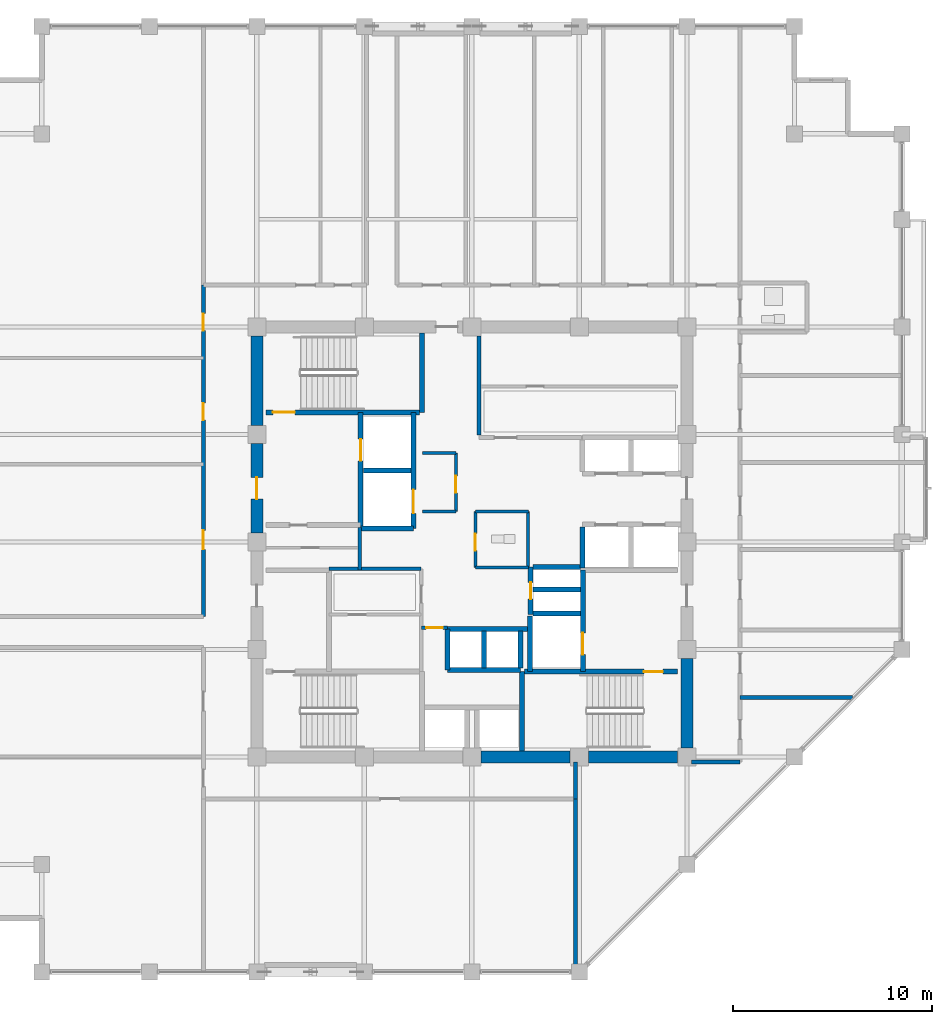
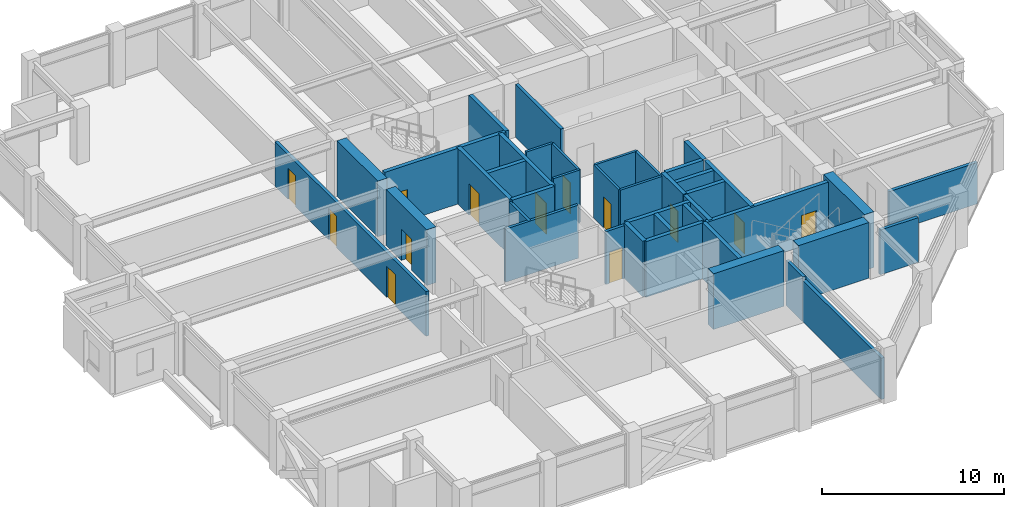
# One storey, part 23 of 28: 41 walls, 13 doors, 13 openings.
"""IFC4 building model written with IfcOpenShell, lengths in metres."""

from ifc_helpers import new_model, si_unit, direction, frame, frame_2d, origin, place, context, subcontext, project, spatial, rectangle, extrude, material, layer, layer_set, type_object, element, fill, save


model = new_model("IFC4")

# Units and contexts
model_context = context("Model", 3, precision=1e-05, world=origin(), true_north=direction((0.0, 1.0)))
body_context = subcontext(model_context, "Body", "Model", "MODEL_VIEW")
ifc_project = project(units=[si_unit("LENGTHUNIT", "METRE"), si_unit("AREAUNIT", "SQUARE_METRE"), si_unit("VOLUMEUNIT", "CUBIC_METRE"), si_unit("PLANEANGLEUNIT", "RADIAN"), si_unit("MASSUNIT", "GRAM", prefix="KILO")], contexts=[model_context])

# Site, building, storey
site_placement = place(None, origin())
site = spatial("IfcSite", under=ifc_project, at=site_placement, CompositionType="ELEMENT")
building_placement = place(site_placement, origin())
building = spatial("IfcBuilding", under=site, at=building_placement, Name="Surkhivell Harbour Commons", CompositionType="ELEMENT")
storey_placement = place(building_placement, frame((0.0, 0.0, 238.5)))
storey = spatial("IfcBuildingStorey", under=building, at=storey_placement, Name="L62", CompositionType="ELEMENT", Elevation=238.5)

# Walls
ifc_material_1 = material(Name="Concrete C60/75", Category="concrete")
ifc_layer_1 = layer(ifc_material_1, 0.60009765625)
ifc_layer_set_1 = layer_set([ifc_layer_1], Name="Concrete C60/75")
wall_type_1 = type_object("IfcWallType", Name="WAL-CORE-600", PredefinedType="SHEAR", material=ifc_layer_set_1)
for number, where, z_axis, x_axis, name in (
    (1, (10.800048828125, -10.340087890625, 0.0), (0.0, 0.0, 1.0), (0.0, 1.0, 0.0), "L62 Core Shear Wall East 1"),
    (2, (0.4599609375, -10.800048828125, 0.0), (0.0, 0.0, 1.0), (1.0, 0.0, 0.0), "L62 Core Shear Wall South 3"),
):
    element("IfcWall", number, at=place(storey_placement, frame(where, z_axis=z_axis, x_axis=x_axis)), inside=storey, type_object=wall_type_1, Name=name, PredefinedType="SHEAR", context=body_context, shape_type="SweptSolid", body=[
        extrude(rectangle(XDim=4.47998046875, YDim=0.60009765625, at=frame_2d((2.239990234375, 0.0))), origin(), (0.0, 0.0, 1.0), 3.75),
    ])

# Wall, opening, door
wall_1_placement = place(storey_placement, frame((-10.800048828125, 0.4599609375, 0.0), z_axis=(0.0, 0.0, 1.0), x_axis=(0.0, 1.0, 0.0)))
wall_1 = element("IfcWall", 3, at=wall_1_placement, inside=storey, type_object=wall_type_1, Name="L62 Core Shear Wall West 3", PredefinedType="SHEAR", context=body_context, shape_type="SweptSolid", body=[
    extrude(rectangle(XDim=4.47998046875, YDim=0.60009765625, at=frame_2d((2.239990234375, 0.0))), origin(), (0.0, 0.0, 1.0), 3.75),
])
opening_1_placement = place(wall_1_placement, frame((1.68994140625, 0.0, 0.0)))
opening_1 = element("IfcOpeningElement", 4, at=opening_1_placement, cuts=wall_1, Name="Opening ID-1", PredefinedType="OPENING", context=body_context, shape_type="SweptSolid", body=[
    extrude(rectangle(XDim=1.10009765625, YDim=2.10009765625, at=frame_2d((0.550048828125, 1.050048828125))), frame((0.0, 0.31005859375, 0.0), z_axis=(0.0, -1.0, 0.0), x_axis=(1.0, 0.0, 0.0)), (0.0, 0.0, 1.0), 0.6201171875),
])
ifc_material_2 = material(Name="Hardwood-veneered fire-rated door leaf", Category="wood")
door_type_1 = type_object("IfcDoorType", Name="DOR-FD120-1100", OperationType="NOTDEFINED", PredefinedType="DOOR", material=ifc_material_2)
door_1_placement = place(opening_1_placement, origin())
door_1 = element("IfcDoor", 5, at=door_1_placement, inside=storey, type_object=door_type_1, Name="L62 Firefighting Lobby 1 Corridor Door", OperationType="SINGLE_SWING_LEFT", OverallHeight=2.10009765625, OverallWidth=1.10009765625, PredefinedType="DOOR", context=body_context, shape_type="SweptSolid", body=[
    extrude(rectangle(XDim=1.10009765625, YDim=2.10009765625, at=frame_2d((0.550048828125, 1.050048828125))), frame((0.0, 0.02490234375, 0.0), z_axis=(0.0, -1.0, 0.0), x_axis=(1.0, 0.0, 0.0)), (0.0, 0.0, 1.0), 0.050048828125),
])
fill(opening_1, door_1)

# Walls
for number, where, z_axis, x_axis, name in (
    (6, (5.860107421875, -10.800048828125, 0.0), (0.0, 0.0, 1.0), (1.0, 0.0, 0.0), "L62 Core Shear Wall South 4"),
    (7, (-10.800048828125, 5.860107421875, 0.0), (0.0, 0.0, 1.0), (0.0, 1.0, 0.0), "L62 Core Shear Wall West 4"),
):
    element("IfcWall", number, at=place(storey_placement, frame(where, z_axis=z_axis, x_axis=x_axis)), inside=storey, type_object=wall_type_1, Name=name, PredefinedType="SHEAR", context=body_context, shape_type="SweptSolid", body=[
        extrude(rectangle(XDim=4.47998046875, YDim=0.60009765625, at=frame_2d((2.239990234375, 0.0))), origin(), (0.0, 0.0, 1.0), 3.75),
    ])
ifc_material_3 = material(Name="Twin-stud acoustic fireboard partition", Category="other")
ifc_layer_2 = layer(ifc_material_3, 0.14990234375)
ifc_layer_set_2 = layer_set([ifc_layer_2], Name="Twin-stud acoustic fireboard partition")
wall_type_2 = type_object("IfcWallType", Name="WAL-INT-150", PredefinedType="PARTITIONING", material=ifc_layer_set_2)
wall_2_placement = place(storey_placement, frame((2.820068359375, -1.25, 0.0), z_axis=(0.0, 0.0, 1.0), x_axis=(0.0, 1.0, 0.0)))
element("IfcWall", 8, at=wall_2_placement, inside=storey, type_object=wall_type_2, Name="L62 Core WC East Wall", PredefinedType="PARTITIONING", context=body_context, shape_type="SweptSolid", body=[
    extrude(rectangle(XDim=2.77001953125, YDim=0.14990234375, at=frame_2d((1.385009765625, 0.0))), origin(), (0.0, 0.0, 1.0), 3.570068359375),
])
for number, where, z_axis, x_axis, name in (
    (9, (0.179931640625, 1.52001953125, 0.0), (0.0, 0.0, 1.0), (1.0, 0.0, 0.0), "L62 Core WC North Wall"),
    (10, (0.179931640625, -1.280029296875, 0.0), (0.0, 0.0, 1.0), (1.0, 0.0, 0.0), "L62 Core WC South Wall"),
):
    element("IfcWall", number, at=place(storey_placement, frame(where, z_axis=z_axis, x_axis=x_axis)), inside=storey, type_object=wall_type_2, Name=name, PredefinedType="PARTITIONING", context=body_context, shape_type="SweptSolid", body=[
        extrude(rectangle(XDim=2.670166015625, YDim=0.14990234375, at=frame_2d((1.3349609375, 0.0))), origin(), (0.0, 0.0, 1.0), 3.570068359375),
    ])

# Wall, opening, door
wall_3_placement = place(storey_placement, frame((0.179931640625, -1.280029296875, 0.0), z_axis=(0.0, 0.0, 1.0), x_axis=(0.0, 1.0, 0.0)))
wall_3 = element("IfcWall", 11, at=wall_3_placement, inside=storey, type_object=wall_type_2, Name="L62 Core Accessible WC West Wall", PredefinedType="PARTITIONING", context=body_context, shape_type="SweptSolid", body=[
    extrude(rectangle(XDim=2.800048828125, YDim=0.14990234375, at=frame_2d((1.39990234375, 0.0))), origin(), (0.0, 0.0, 1.0), 3.570068359375),
])
opening_2_placement = place(wall_3_placement, frame((0.85009765625, 0.0, 0.0)))
opening_2 = element("IfcOpeningElement", 12, at=opening_2_placement, cuts=wall_3, Name="Opening ID-6", PredefinedType="OPENING", context=body_context, shape_type="SweptSolid", body=[
    extrude(rectangle(XDim=0.85009765625, YDim=2.10009765625, at=frame_2d((0.425048828125, 1.050048828125))), frame((0.0, 0.0849609375, 0.0), z_axis=(0.0, -1.0, 0.0), x_axis=(1.0, 0.0, 0.0)), (0.0, 0.0, 1.0), 0.169921875),
])
door_type_2 = type_object("IfcDoorType", Name="DOR-FD30-850", OperationType="NOTDEFINED", PredefinedType="DOOR", material=ifc_material_2)
door_2_placement = place(opening_2_placement, origin())
door_2 = element("IfcDoor", 13, at=door_2_placement, inside=storey, type_object=door_type_2, Name="L62 Floor Accessible WC Door", OperationType="SINGLE_SWING_RIGHT", OverallHeight=2.10009765625, OverallWidth=0.85009765625, PredefinedType="DOOR", context=body_context, shape_type="SweptSolid", body=[
    extrude(rectangle(XDim=0.85009765625, YDim=2.10009765625, at=frame_2d((0.425048828125, 1.050048828125))), frame((0.0, 0.02490234375, 0.0), z_axis=(0.0, -1.0, 0.0), x_axis=(1.0, 0.0, 0.0)), (0.0, 0.0, 1.0), 0.050048828125),
])
fill(opening_2, door_2)

wall_4_placement = place(storey_placement, frame((-0.800048828125, 1.52001953125, 0.0), z_axis=(0.0, 0.0, 1.0), x_axis=(0.0, 1.0, 0.0)))
wall_4 = element("IfcWall", 14, at=wall_4_placement, inside=storey, type_object=wall_type_2, Name="L62 Core Seminar East Wall", PredefinedType="PARTITIONING", context=body_context, shape_type="SweptSolid", body=[
    extrude(rectangle(XDim=2.9599609375, YDim=0.14990234375, at=frame_2d((1.47998046875, 0.0))), origin(), (0.0, 0.0, 1.0), 3.570068359375),
])
opening_3_placement = place(wall_4_placement, frame((0.949951171875, 0.0, 0.0)))
opening_3 = element("IfcOpeningElement", 15, at=opening_3_placement, cuts=wall_4, Name="Opening ID-6", PredefinedType="OPENING", context=body_context, shape_type="SweptSolid", body=[
    extrude(rectangle(XDim=0.85009765625, YDim=2.10009765625, at=frame_2d((0.425048828125, 1.050048828125))), frame((0.0, 0.0849609375, 0.0), z_axis=(0.0, -1.0, 0.0), x_axis=(1.0, 0.0, 0.0)), (0.0, 0.0, 1.0), 0.169921875),
])
door_3_placement = place(opening_3_placement, origin())
door_3 = element("IfcDoor", 16, at=door_3_placement, inside=storey, type_object=door_type_2, Name="L62 Central Seminar Door", OperationType="SINGLE_SWING_LEFT", OverallHeight=2.10009765625, OverallWidth=0.85009765625, PredefinedType="DOOR", context=body_context, shape_type="SweptSolid", body=[
    extrude(rectangle(XDim=0.85009765625, YDim=2.10009765625, at=frame_2d((0.425048828125, 1.050048828125))), frame((0.0, 0.02490234375, 0.0), z_axis=(0.0, -1.0, 0.0), x_axis=(1.0, 0.0, 0.0)), (0.0, 0.0, 1.0), 0.050048828125),
])
fill(opening_3, door_3)

# Walls
for number, where, z_axis, x_axis, name in (
    (17, (-2.47998046875, 4.47998046875, 0.0), (0.0, 0.0, 1.0), (1.0, 0.0, 0.0), "L62 Core Seminar North Wall"),
    (18, (-2.47998046875, 1.52001953125, 0.0), (0.0, 0.0, 1.0), (1.0, 0.0, 0.0), "L62 Core Seminar South Wall"),
):
    element("IfcWall", number, at=place(storey_placement, frame(where, z_axis=z_axis, x_axis=x_axis)), inside=storey, type_object=wall_type_2, Name=name, PredefinedType="PARTITIONING", context=body_context, shape_type="SweptSolid", body=[
        extrude(rectangle(XDim=1.679931640625, YDim=0.14990234375, at=frame_2d((0.83984375, 0.0))), origin(), (0.0, 0.0, 1.0), 3.570068359375),
    ])
ifc_material_4 = material(Name="High-density acoustic blockwork fire partition", Category="masonry")
ifc_layer_3 = layer(ifc_material_4, 0.175048828125)
ifc_layer_set_3 = layer_set([ifc_layer_3], Name="High-density acoustic blockwork fire partition")
wall_type_3 = type_object("IfcWallType", Name="WAL-INT-175", PredefinedType="PARTITIONING", material=ifc_layer_set_3)
wall_5_placement = place(storey_placement, frame((-7.179931640625, -1.35009765625, 0.0), z_axis=(0.0, 0.0, 1.0), x_axis=(1.0, 0.0, 0.0)))
element("IfcWall", 19, at=wall_5_placement, inside=storey, type_object=wall_type_3, Name="L62 Core Service Bay North Wall", PredefinedType="PARTITIONING", context=body_context, shape_type="SweptSolid", body=[
    extrude(rectangle(XDim=4.6298828125, YDim=0.175048828125, at=frame_2d((2.31494140625, 0.0))), origin(), (0.0, 0.0, 1.0), 3.570068359375),
])
wall_6_placement = place(storey_placement, frame((-5.6201171875, -1.419921875, 0.0), z_axis=(0.0, 0.0, 1.0), x_axis=(0.0, 1.0, 0.0)))
element("IfcWall", 20, at=wall_6_placement, inside=storey, type_object=wall_type_3, Name="L62 West Core Bay East Wall", PredefinedType="PARTITIONING", context=body_context, shape_type="SweptSolid", body=[
    extrude(rectangle(XDim=2.139892578125, YDim=0.175048828125, at=frame_2d((1.06982421875, 0.0))), origin(), (0.0, 0.0, 1.0), 3.570068359375),
])

# Wall, opening, door
wall_7_placement = place(storey_placement, frame((-2.52001953125, -4.320068359375, 0.0), z_axis=(0.0, 0.0, 1.0), x_axis=(1.0, 0.0, 0.0)))
wall_7 = element("IfcWall", 21, at=wall_7_placement, inside=storey, type_object=wall_type_3, Name="L62 High-Rise Lobby North Portal Wall", PredefinedType="PARTITIONING", context=body_context, shape_type="SweptSolid", body=[
    extrude(rectangle(XDim=1.300048828125, YDim=0.175048828125, at=frame_2d((0.64990234375, 0.0))), origin(), (0.0, 0.0, 1.0), 3.570068359375),
])
opening_4_placement = place(wall_7_placement, frame((0.219970703125, 0.0, 0.0)))
opening_4 = element("IfcOpeningElement", 22, at=opening_4_placement, cuts=wall_7, Name="Opening ID-6", PredefinedType="OPENING", context=body_context, shape_type="SweptSolid", body=[
    extrude(rectangle(XDim=0.85009765625, YDim=2.10009765625, at=frame_2d((0.425048828125, 1.050048828125))), frame((0.0, 0.097412109375, 0.0), z_axis=(0.0, -1.0, 0.0), x_axis=(1.0, 0.0, 0.0)), (0.0, 0.0, 1.0), 0.195068359375),
])
door_4_placement = place(opening_4_placement, origin())
door_4 = element("IfcDoor", 23, at=door_4_placement, inside=storey, type_object=door_type_2, Name="L62 High-Rise Lift Lobby North Door", OperationType="SINGLE_SWING_LEFT", OverallHeight=2.10009765625, OverallWidth=0.85009765625, PredefinedType="DOOR", context=body_context, shape_type="SweptSolid", body=[
    extrude(rectangle(XDim=0.85009765625, YDim=2.10009765625, at=frame_2d((0.425048828125, 1.050048828125))), frame((0.0, 0.02490234375, 0.0), z_axis=(0.0, -1.0, 0.0), x_axis=(1.0, 0.0, 0.0)), (0.0, 0.0, 1.0), 0.050048828125),
])
fill(opening_4, door_4)

# Walls
ifc_material_5 = material(Name="Autoclaved aerated concrete blockwork and fire plaster", Category="masonry")
ifc_layer_4 = layer(ifc_material_5, 0.199951171875)
ifc_layer_set_4 = layer_set([ifc_layer_4], Name="Autoclaved aerated concrete blockwork and fire plaster")
wall_type_4 = type_object("IfcWallType", Name="WAL-INT-200", PredefinedType="PARTITIONING", material=ifc_layer_set_4)
wall_8_placement = place(storey_placement, frame((0.35009765625, 5.360107421875, 0.0), z_axis=(0.0, 0.0, 1.0), x_axis=(0.0, 1.0, 0.0)))
element("IfcWall", 24, at=wall_8_placement, inside=storey, type_object=wall_type_4, Name="L62 Reclaimed Core North Bay West Wall", PredefinedType="PARTITIONING", context=body_context, shape_type="SweptSolid", body=[
    extrude(rectangle(XDim=4.97998046875, YDim=0.199951171875, at=frame_2d((2.489990234375, 0.0))), origin(), (0.0, 0.0, 1.0), 3.570068359375),
])
wall_9_placement = place(storey_placement, frame((5.199951171875, -21.5400390625, 0.0), z_axis=(0.0, 0.0, 1.0), x_axis=(0.0, 1.0, 0.0)))
element("IfcWall", 25, at=wall_9_placement, inside=storey, type_object=wall_type_4, Name="L62 South-East Corner Wall", PredefinedType="PARTITIONING", context=body_context, shape_type="SweptSolid", body=[
    extrude(rectangle(XDim=8.64013671875, YDim=0.199951171875, at=frame_2d((4.320068359375, 0.0))), origin(), (0.0, 0.0, 1.0), 2.780029296875),
])
wall_10_placement = place(storey_placement, frame((11.0400390625, -11.0400390625, 0.0), z_axis=(0.0, 0.0, 1.0), x_axis=(1.0, 0.0, 0.0)))
element("IfcWall", 26, at=wall_10_placement, inside=storey, type_object=wall_type_4, Name="L62 Corridor East South Closure Wall", PredefinedType="PARTITIONING", context=body_context, shape_type="SweptSolid", body=[
    extrude(rectangle(XDim=2.43994140625, YDim=0.199951171875, at=frame_2d((1.219970703125, 0.0))), origin(), (0.0, 0.0, 1.0), 3.006103515625),
])
wall_11_placement = place(storey_placement, frame((5.199951171875, -12.89990234375, 0.0), z_axis=(0.0, 0.0, 1.0), x_axis=(0.0, 1.0, 0.0)))
element("IfcWall", 27, at=wall_11_placement, inside=storey, type_object=wall_type_4, Name="L62 Corridor South End Wall", PredefinedType="PARTITIONING", context=body_context, shape_type="SweptSolid", body=[
    extrude(rectangle(XDim=1.85986328125, YDim=0.199951171875, at=frame_2d((0.929931640625, 0.0))), origin(), (0.0, 0.0, 1.0), 3.006103515625),
])

# Wall, openings, doors
wall_12_placement = place(storey_placement, frame((-13.47998046875, -3.75, 0.0), z_axis=(0.0, 0.0, 1.0), x_axis=(0.0, 1.0, 0.0)))
wall_12 = element("IfcWall", 28, at=wall_12_placement, inside=storey, type_object=wall_type_4, Name="L62 Corridor West-Upper Wall", PredefinedType="PARTITIONING", context=body_context, shape_type="SweptSolid", body=[
    extrude(rectangle(XDim=16.64990234375, YDim=0.199951171875, at=frame_2d((8.324951171875, 0.0))), origin(), (0.0, 0.0, 1.0), 3.006103515625),
])
opening_5_placement = place(wall_12_placement, frame((3.3798828125, 0.0, 0.0)))
opening_5 = element("IfcOpeningElement", 29, at=opening_5_placement, cuts=wall_12, Name="Opening ID-4", PredefinedType="OPENING", context=body_context, shape_type="SweptSolid", body=[
    extrude(rectangle(XDim=0.949951171875, YDim=2.10009765625, at=frame_2d((0.47509765625, 1.050048828125))), frame((0.0, 0.10986328125, 0.0), z_axis=(0.0, -1.0, 0.0), x_axis=(1.0, 0.0, 0.0)), (0.0, 0.0, 1.0), 0.219970703125),
])
opening_6_placement = place(wall_12_placement, frame((9.875, 0.0, 0.0)))
opening_6 = element("IfcOpeningElement", 30, at=opening_6_placement, cuts=wall_12, Name="Opening ID-6", PredefinedType="OPENING", context=body_context, shape_type="SweptSolid", body=[
    extrude(rectangle(XDim=0.85009765625, YDim=2.10009765625, at=frame_2d((0.425048828125, 1.050048828125))), frame((0.0, 0.10986328125, 0.0), z_axis=(0.0, -1.0, 0.0), x_axis=(1.0, 0.0, 0.0)), (0.0, 0.0, 1.0), 0.219970703125),
])
opening_7_placement = place(wall_12_placement, frame((14.3701171875, 0.0, 0.0)))
opening_7 = element("IfcOpeningElement", 31, at=opening_7_placement, cuts=wall_12, Name="Opening ID-6", PredefinedType="OPENING", context=body_context, shape_type="SweptSolid", body=[
    extrude(rectangle(XDim=0.85009765625, YDim=2.10009765625, at=frame_2d((0.425048828125, 1.050048828125))), frame((0.0, 0.10986328125, 0.0), z_axis=(0.0, -1.0, 0.0), x_axis=(1.0, 0.0, 0.0)), (0.0, 0.0, 1.0), 0.219970703125),
])
door_5_placement = place(opening_6_placement, origin())
door_5 = element("IfcDoor", 32, at=door_5_placement, inside=storey, type_object=door_type_2, Name="L62 Resident Social Lounge 2 North-West Door", OperationType="SINGLE_SWING_LEFT", OverallHeight=2.10009765625, OverallWidth=0.85009765625, PredefinedType="DOOR", context=body_context, shape_type="SweptSolid", body=[
    extrude(rectangle(XDim=0.85009765625, YDim=2.10009765625, at=frame_2d((0.425048828125, 1.050048828125))), frame((0.0, 0.02490234375, 0.0), z_axis=(0.0, -1.0, 0.0), x_axis=(1.0, 0.0, 0.0)), (0.0, 0.0, 1.0), 0.050048828125),
])
fill(opening_6, door_5)
door_6_placement = place(opening_7_placement, origin())
door_6 = element("IfcDoor", 33, at=door_6_placement, inside=storey, type_object=door_type_2, Name="L62 Resident Social Lounge 3 North-West Door", OperationType="SINGLE_SWING_RIGHT", OverallHeight=2.10009765625, OverallWidth=0.85009765625, PredefinedType="DOOR", context=body_context, shape_type="SweptSolid", body=[
    extrude(rectangle(XDim=0.85009765625, YDim=2.10009765625, at=frame_2d((0.425048828125, 1.050048828125))), frame((0.0, 0.02490234375, 0.0), z_axis=(0.0, -1.0, 0.0), x_axis=(1.0, 0.0, 0.0)), (0.0, 0.0, 1.0), 0.050048828125),
])
fill(opening_7, door_6)
door_type_3 = type_object("IfcDoorType", Name="DOR-FD60-950", OperationType="NOTDEFINED", PredefinedType="DOOR", material=ifc_material_2)
door_7_placement = place(opening_5_placement, origin())
door_7 = element("IfcDoor", 34, at=door_7_placement, inside=storey, type_object=door_type_3, Name="L62 Harbour Social Lounge North-West Door", OperationType="SINGLE_SWING_RIGHT", OverallHeight=2.10009765625, OverallWidth=0.949951171875, PredefinedType="DOOR", context=body_context, shape_type="SweptSolid", body=[
    extrude(rectangle(XDim=0.949951171875, YDim=2.10009765625, at=frame_2d((0.47509765625, 1.050048828125))), frame((0.0, 0.02490234375, 0.0), z_axis=(0.0, -1.0, 0.0), x_axis=(1.0, 0.0, 0.0)), (0.0, 0.0, 1.0), 0.050048828125),
])
fill(opening_5, door_7)

# Wall
wall_13_placement = place(storey_placement, frame((13.47998046875, -7.800048828125, 0.0), z_axis=(0.0, 0.0, 1.0), x_axis=(1.0, 0.0, 0.0)))
element("IfcWall", 35, at=wall_13_placement, inside=storey, type_object=wall_type_4, Name="L62 East Partition PBOT", PredefinedType="PARTITIONING", context=body_context, shape_type="SweptSolid", body=[
    extrude(rectangle(XDim=5.63525390625, YDim=0.199951171875, at=frame_2d((2.817626953125, 0.0))), origin(), (0.0, 0.0, 1.0), 2.780029296875),
])

# Wall, opening, door
ifc_material_6 = material(Name="Concrete C50/60", Category="concrete")
ifc_layer_5 = layer(ifc_material_6, 0.25)
ifc_layer_set_5 = layer_set([ifc_layer_5], Name="Concrete C50/60")
wall_type_5 = type_object("IfcWallType", Name="WAL-SHAFT-250", PredefinedType="SHEAR", material=ifc_layer_set_5)
wall_14_placement = place(storey_placement, frame((-5.580078125, 0.719970703125, 0.0), z_axis=(0.0, 0.0, 1.0), x_axis=(0.0, 1.0, 0.0)))
wall_14 = element("IfcWall", 36, at=wall_14_placement, inside=storey, type_object=wall_type_5, Name="L62 Firefighting Lobby 1 East Shaft Wall", PredefinedType="SHEAR", context=body_context, shape_type="SweptSolid", body=[
    extrude(rectangle(XDim=5.7900390625, YDim=0.25, at=frame_2d((2.89501953125, 0.0))), origin(), (0.0, 0.0, 1.0), 3.75),
])
opening_8_placement = place(wall_14_placement, frame((3.35009765625, 0.0, 0.0)))
opening_8 = element("IfcOpeningElement", 37, at=opening_8_placement, cuts=wall_14, Name="Opening LD-1", PredefinedType="OPENING", context=body_context, shape_type="SweptSolid", body=[
    extrude(rectangle(XDim=1.10009765625, YDim=2.10009765625, at=frame_2d((0.550048828125, 1.050048828125))), frame((0.0, 0.135009765625, 0.0), z_axis=(0.0, -1.0, 0.0), x_axis=(1.0, 0.0, 0.0)), (0.0, 0.0, 1.0), 0.27001953125),
])
ifc_material_7 = material(Name="Brushed stainless steel S355", Category="steel")
door_type_4 = type_object("IfcDoorType", Name="DOR-LD-1100", OperationType="SLIDING_TO_LEFT", PredefinedType="DOOR", material=ifc_material_7)
door_8_placement = place(opening_8_placement, origin())
door_8 = element("IfcDoor", 38, at=door_8_placement, inside=storey, type_object=door_type_4, Name="L62 Lift Landing Door LD-FFL1", OperationType="SLIDING_TO_LEFT", OverallHeight=2.10009765625, OverallWidth=1.10009765625, PredefinedType="DOOR", context=body_context, shape_type="SweptSolid", body=[
    extrude(rectangle(XDim=1.10009765625, YDim=2.10009765625, at=frame_2d((0.550048828125, 1.050048828125))), frame((0.0, 0.02490234375, 0.0), z_axis=(0.0, -1.0, 0.0), x_axis=(1.0, 0.0, 0.0)), (0.0, 0.0, 1.0), 0.050048828125),
])
fill(opening_8, door_8)

# Walls
wall_15_placement = place(storey_placement, frame((2.929931640625, -6.510009765625, 0.0), z_axis=(0.0, 0.0, 1.0), x_axis=(0.0, 1.0, 0.0)))
element("IfcWall", 39, at=wall_15_placement, inside=storey, type_object=wall_type_5, Name="L62 FFL2 West Shaft Wall", PredefinedType="SHEAR", context=body_context, shape_type="SweptSolid", body=[
    extrude(rectangle(XDim=2.7900390625, YDim=0.25, at=frame_2d((1.39501953125, 0.0))), origin(), (0.0, 0.0, 1.0), 3.75),
])
wall_16_placement = place(storey_placement, frame((3.080078125, -3.60009765625, 0.0), z_axis=(0.0, 0.0, 1.0), x_axis=(1.0, 0.0, 0.0)))
element("IfcWall", 40, at=wall_16_placement, inside=storey, type_object=wall_type_5, Name="L62 FFL2 North Shaft Wall", PredefinedType="SHEAR", context=body_context, shape_type="SweptSolid", body=[
    extrude(rectangle(XDim=2.369873046875, YDim=0.25, at=frame_2d((1.18505859375, 0.0))), origin(), (0.0, 0.0, 1.0), 3.75),
])

# Wall, opening, door
wall_17_placement = place(storey_placement, frame((5.580078125, -6.510009765625, 0.0), z_axis=(0.0, 0.0, 1.0), x_axis=(0.0, 1.0, 0.0)))
wall_17 = element("IfcWall", 41, at=wall_17_placement, inside=storey, type_object=wall_type_5, Name="L62 Firefighting Lobby 2 West Shaft Wall", PredefinedType="SHEAR", context=body_context, shape_type="SweptSolid", body=[
    extrude(rectangle(XDim=5.090087890625, YDim=0.25, at=frame_2d((2.544921875, 0.0))), origin(), (0.0, 0.0, 1.0), 3.75),
])
opening_9_placement = place(wall_17_placement, frame((0.85009765625, 0.0, 0.0)))
opening_9 = element("IfcOpeningElement", 42, at=opening_9_placement, cuts=wall_17, Name="Opening LD-1", PredefinedType="OPENING", context=body_context, shape_type="SweptSolid", body=[
    extrude(rectangle(XDim=1.10009765625, YDim=2.10009765625, at=frame_2d((0.550048828125, 1.050048828125))), frame((0.0, 0.135009765625, 0.0), z_axis=(0.0, -1.0, 0.0), x_axis=(1.0, 0.0, 0.0)), (0.0, 0.0, 1.0), 0.27001953125),
])
door_9_placement = place(opening_9_placement, origin())
door_9 = element("IfcDoor", 43, at=door_9_placement, inside=storey, type_object=door_type_4, Name="L62 Lift Landing Door LD-FFL2", OperationType="SLIDING_TO_RIGHT", OverallHeight=2.10009765625, OverallWidth=1.10009765625, PredefinedType="DOOR", context=body_context, shape_type="SweptSolid", body=[
    extrude(rectangle(XDim=1.10009765625, YDim=2.10009765625, at=frame_2d((0.550048828125, 1.050048828125))), frame((0.0, 0.02490234375, 0.0), z_axis=(0.0, -1.0, 0.0), x_axis=(1.0, 0.0, 0.0)), (0.0, 0.0, 1.0), 0.050048828125),
])
fill(opening_9, door_9)

# Walls
for number, where, z_axis, x_axis, name in (
    (44, (0.6201171875, -6.340087890625, 0.0), (0.0, 0.0, 1.0), (0.0, 1.0, 0.0), "L62 High-Rise Side Wall N"),
    (45, (2.449951171875, -6.340087890625, 0.0), (0.0, 0.0, 1.0), (0.0, 1.0, 0.0), "L62 High-Rise Side Wall N"),
):
    element("IfcWall", number, at=place(storey_placement, frame(where, z_axis=z_axis, x_axis=x_axis)), inside=storey, type_object=wall_type_5, Name=name, PredefinedType="SHEAR", context=body_context, shape_type="SweptSolid", body=[
        extrude(rectangle(XDim=1.880126953125, YDim=0.25, at=frame_2d((0.93994140625, 0.0))), origin(), (0.0, 0.0, 1.0), 3.75),
    ])
wall_18_placement = place(storey_placement, frame((-1.219970703125, -6.43994140625, 0.0), z_axis=(0.0, 0.0, 1.0), x_axis=(0.0, 1.0, 0.0)))
element("IfcWall", 46, at=wall_18_placement, inside=storey, type_object=wall_type_5, Name="L62 High-Rise Passage East Shaft Wall", PredefinedType="SHEAR", context=body_context, shape_type="SweptSolid", body=[
    extrude(rectangle(XDim=2.079833984375, YDim=0.25, at=frame_2d((1.0400390625, 0.0))), origin(), (0.0, 0.0, 1.0), 3.75),
])
wall_19_placement = place(storey_placement, frame((-1.219970703125, -6.43994140625, 0.0), z_axis=(0.0, 0.0, 1.0), x_axis=(1.0, 0.0, 0.0)))
element("IfcWall", 47, at=wall_19_placement, inside=storey, type_object=wall_type_5, Name="L62 High-Rise North Front Shaft Wall", PredefinedType="SHEAR", context=body_context, shape_type="SweptSolid", body=[
    extrude(rectangle(XDim=3.669921875, YDim=0.25, at=frame_2d((1.8349609375, 0.0))), origin(), (0.0, 0.0, 1.0), 3.75),
])
wall_20_placement = place(storey_placement, frame((-1.219970703125, -4.360107421875, 0.0), z_axis=(0.0, 0.0, 1.0), x_axis=(1.0, 0.0, 0.0)))
element("IfcWall", 48, at=wall_20_placement, inside=storey, type_object=wall_type_5, Name="L62 High-Rise North Back Shaft Wall", PredefinedType="SHEAR", context=body_context, shape_type="SweptSolid", body=[
    extrude(rectangle(XDim=4.030029296875, YDim=0.25, at=frame_2d((2.01513671875, 0.0))), origin(), (0.0, 0.0, 1.0), 3.75),
])
wall_21_placement = place(storey_placement, frame((5.550048828125, -1.300048828125, 0.0), z_axis=(0.0, 0.0, 1.0), x_axis=(0.0, 1.0, 0.0)))
element("IfcWall", 49, at=wall_21_placement, inside=storey, type_object=wall_type_5, Name="L62 Mid-Rise Shaft Side Wall S", PredefinedType="SHEAR", context=body_context, shape_type="SweptSolid", body=[
    extrude(rectangle(XDim=2.0400390625, YDim=0.25, at=frame_2d((1.02001953125, 0.0))), origin(), (0.0, 0.0, 1.0), 3.75),
])
for number, where, z_axis, x_axis, name in (
    (50, (3.080078125, -2.3798828125, 0.0), (0.0, 0.0, 1.0), (1.0, 0.0, 0.0), "L62 Riser Divider Wall"),
    (51, (3.080078125, -1.25, 0.0), (0.0, 0.0, 1.0), (1.0, 0.0, 0.0), "L62 Riser North Wall"),
):
    element("IfcWall", number, at=place(storey_placement, frame(where, z_axis=z_axis, x_axis=x_axis)), inside=storey, type_object=wall_type_5, Name=name, PredefinedType="SHEAR", context=body_context, shape_type="SweptSolid", body=[
        extrude(rectangle(XDim=2.369873046875, YDim=0.25, at=frame_2d((1.18505859375, 0.0))), origin(), (0.0, 0.0, 1.0), 3.75),
    ])

# Wall, opening, door
wall_22_placement = place(storey_placement, frame((2.949951171875, -3.64990234375, 0.0), z_axis=(0.0, 0.0, 1.0), x_axis=(0.0, 1.0, 0.0)))
wall_22 = element("IfcWall", 52, at=wall_22_placement, inside=storey, type_object=wall_type_5, Name="L62 Riser Shaft West Wall", PredefinedType="SHEAR", context=body_context, shape_type="SweptSolid", body=[
    extrude(rectangle(XDim=2.39990234375, YDim=0.25, at=frame_2d((1.199951171875, 0.0))), origin(), (0.0, 0.0, 1.0), 3.75),
])
opening_10_placement = place(wall_22_placement, frame((0.77490234375, 0.0, 0.0)))
opening_10 = element("IfcOpeningElement", 53, at=opening_10_placement, cuts=wall_22, Name="Opening ID-6", PredefinedType="OPENING", context=body_context, shape_type="SweptSolid", body=[
    extrude(rectangle(XDim=0.85009765625, YDim=2.10009765625, at=frame_2d((0.425048828125, 1.050048828125))), frame((0.0, 0.135009765625, 0.0), z_axis=(0.0, -1.0, 0.0), x_axis=(1.0, 0.0, 0.0)), (0.0, 0.0, 1.0), 0.27001953125),
])
door_10_placement = place(opening_10_placement, origin())
door_10 = element("IfcDoor", 54, at=door_10_placement, inside=storey, type_object=door_type_2, Name="L62 Electrical Riser Access Door", OperationType="SINGLE_SWING_LEFT", OverallHeight=2.10009765625, OverallWidth=0.85009765625, PredefinedType="DOOR", context=body_context, shape_type="SweptSolid", body=[
    extrude(rectangle(XDim=0.85009765625, YDim=2.10009765625, at=frame_2d((0.425048828125, 1.050048828125))), frame((0.0, 0.02490234375, 0.0), z_axis=(0.0, -1.0, 0.0), x_axis=(1.0, 0.0, 0.0)), (0.0, 0.0, 1.0), 0.050048828125),
])
fill(opening_10, door_10)

# Wall
wall_23_placement = place(storey_placement, frame((-2.510009765625, 6.510009765625, 0.0), z_axis=(0.0, 0.0, 1.0), x_axis=(0.0, 1.0, 0.0)))
element("IfcWall", 55, at=wall_23_placement, inside=storey, type_object=wall_type_5, Name="L62 Stair ST1 East Shear Wall", PredefinedType="SHEAR", context=body_context, shape_type="SweptSolid", body=[
    extrude(rectangle(XDim=3.989990234375, YDim=0.25, at=frame_2d((1.9951171875, 0.0))), origin(), (0.0, 0.0, 1.0), 3.75),
])

# Wall, opening, door
wall_24_placement = place(storey_placement, frame((-10.340087890625, 6.510009765625, 0.0), z_axis=(0.0, 0.0, 1.0), x_axis=(1.0, 0.0, 0.0)))
wall_24 = element("IfcWall", 56, at=wall_24_placement, inside=storey, type_object=wall_type_5, Name="L62 Stair ST1 South Shear Wall", PredefinedType="SHEAR", context=body_context, shape_type="SweptSolid", body=[
    extrude(rectangle(XDim=7.7001953125, YDim=0.25, at=frame_2d((3.85009765625, 0.0))), origin(), (0.0, 0.0, 1.0), 3.75),
])
opening_11_placement = place(wall_24_placement, frame((0.35009765625, 0.0, 0.0)))
opening_11 = element("IfcOpeningElement", 57, at=opening_11_placement, cuts=wall_24, Name="Opening ID-2", PredefinedType="OPENING", context=body_context, shape_type="SweptSolid", body=[
    extrude(rectangle(XDim=1.10009765625, YDim=2.10009765625, at=frame_2d((0.550048828125, 1.050048828125))), frame((0.0, 0.135009765625, 0.0), z_axis=(0.0, -1.0, 0.0), x_axis=(1.0, 0.0, 0.0)), (0.0, 0.0, 1.0), 0.27001953125),
])
door_type_5 = type_object("IfcDoorType", Name="DOR-FD60-1100", OperationType="NOTDEFINED", PredefinedType="DOOR", material=ifc_material_2)
door_11_placement = place(opening_11_placement, origin())
door_11 = element("IfcDoor", 58, at=door_11_placement, inside=storey, type_object=door_type_5, Name="L62 Stair ST1 Exit Door", OperationType="SINGLE_SWING_LEFT", OverallHeight=2.10009765625, OverallWidth=1.10009765625, PredefinedType="DOOR", context=body_context, shape_type="SweptSolid", body=[
    extrude(rectangle(XDim=1.10009765625, YDim=2.10009765625, at=frame_2d((0.550048828125, 1.050048828125))), frame((0.0, 0.02490234375, 0.0), z_axis=(0.0, -1.0, 0.0), x_axis=(1.0, 0.0, 0.0)), (0.0, 0.0, 1.0), 0.050048828125),
])
fill(opening_11, door_11)

wall_25_placement = place(storey_placement, frame((2.639892578125, -6.510009765625, 0.0), z_axis=(0.0, 0.0, 1.0), x_axis=(1.0, 0.0, 0.0)))
wall_25 = element("IfcWall", 59, at=wall_25_placement, inside=storey, type_object=wall_type_5, Name="L62 Stair ST2 North Shear Wall", PredefinedType="SHEAR", context=body_context, shape_type="SweptSolid", body=[
    extrude(rectangle(XDim=7.7001953125, YDim=0.25, at=frame_2d((3.85009765625, 0.0))), origin(), (0.0, 0.0, 1.0), 3.75),
])
opening_12_placement = place(wall_25_placement, frame((6.0, 0.0, 0.0)))
opening_12 = element("IfcOpeningElement", 60, at=opening_12_placement, cuts=wall_25, Name="Opening ID-4", PredefinedType="OPENING", context=body_context, shape_type="SweptSolid", body=[
    extrude(rectangle(XDim=0.949951171875, YDim=2.10009765625, at=frame_2d((0.47509765625, 1.050048828125))), frame((0.0, 0.135009765625, 0.0), z_axis=(0.0, -1.0, 0.0), x_axis=(1.0, 0.0, 0.0)), (0.0, 0.0, 1.0), 0.27001953125),
])
door_12_placement = place(opening_12_placement, origin())
door_12 = element("IfcDoor", 61, at=door_12_placement, inside=storey, type_object=door_type_3, Name="L62 Stair ST2 Exit Door", OperationType="SINGLE_SWING_RIGHT", OverallHeight=2.10009765625, OverallWidth=0.949951171875, PredefinedType="DOOR", context=body_context, shape_type="SweptSolid", body=[
    extrude(rectangle(XDim=0.949951171875, YDim=2.10009765625, at=frame_2d((0.47509765625, 1.050048828125))), frame((0.0, 0.02490234375, 0.0), z_axis=(0.0, -1.0, 0.0), x_axis=(1.0, 0.0, 0.0)), (0.0, 0.0, 1.0), 0.050048828125),
])
fill(opening_12, door_12)

# Wall
wall_26_placement = place(storey_placement, frame((2.510009765625, -10.5, 0.0), z_axis=(0.0, 0.0, 1.0), x_axis=(0.0, 1.0, 0.0)))
element("IfcWall", 62, at=wall_26_placement, inside=storey, type_object=wall_type_5, Name="L62 Stair ST2 West Shear Wall", PredefinedType="SHEAR", context=body_context, shape_type="SweptSolid", body=[
    extrude(rectangle(XDim=3.989990234375, YDim=0.25, at=frame_2d((1.9951171875, 0.0))), origin(), (0.0, 0.0, 1.0), 3.75),
])

# Wall, opening, door
wall_27_placement = place(storey_placement, frame((-2.929931640625, 0.679931640625, 0.0), z_axis=(0.0, 0.0, 1.0), x_axis=(0.0, 1.0, 0.0)))
wall_27 = element("IfcWall", 63, at=wall_27_placement, inside=storey, type_object=wall_type_5, Name="L62 Service and Fire Lift East Shaft Wall", PredefinedType="SHEAR", context=body_context, shape_type="SweptSolid", body=[
    extrude(rectangle(XDim=5.830078125, YDim=0.25, at=frame_2d((2.9150390625, 0.0))), origin(), (0.0, 0.0, 1.0), 3.75),
])
opening_13_placement = place(wall_27_placement, frame((0.75, 0.0, 0.0)))
opening_13 = element("IfcOpeningElement", 64, at=opening_13_placement, cuts=wall_27, Name="Opening LD-2", PredefinedType="OPENING", context=body_context, shape_type="SweptSolid", body=[
    extrude(rectangle(XDim=1.199951171875, YDim=2.10009765625, at=frame_2d((0.60009765625, 1.050048828125))), frame((0.0, 0.135009765625, 0.0), z_axis=(0.0, -1.0, 0.0), x_axis=(1.0, 0.0, 0.0)), (0.0, 0.0, 1.0), 0.27001953125),
])
door_type_6 = type_object("IfcDoorType", Name="DOR-LD-1200", OperationType="SLIDING_TO_LEFT", PredefinedType="DOOR", material=ifc_material_7)
door_13_placement = place(opening_13_placement, origin())
door_13 = element("IfcDoor", 65, at=door_13_placement, inside=storey, type_object=door_type_6, Name="L62 Lift Landing Door LD-SVL1", OperationType="SLIDING_TO_LEFT", OverallHeight=2.10009765625, OverallWidth=1.199951171875, PredefinedType="DOOR", context=body_context, shape_type="SweptSolid", body=[
    extrude(rectangle(XDim=1.199951171875, YDim=2.10009765625, at=frame_2d((0.60009765625, 1.050048828125))), frame((0.0, 0.02490234375, 0.0), z_axis=(0.0, -1.0, 0.0), x_axis=(1.0, 0.0, 0.0)), (0.0, 0.0, 1.0), 0.050048828125),
])
fill(opening_13, door_13)

# Walls
wall_28_placement = place(storey_placement, frame((-5.449951171875, 3.60009765625, 0.0), z_axis=(0.0, 0.0, 1.0), x_axis=(1.0, 0.0, 0.0)))
element("IfcWall", 66, at=wall_28_placement, inside=storey, type_object=wall_type_5, Name="L62 FFL1/SVL1 Shaft Divider", PredefinedType="SHEAR", context=body_context, shape_type="SweptSolid", body=[
    extrude(rectangle(XDim=2.389892578125, YDim=0.25, at=frame_2d((1.19482421875, 0.0))), origin(), (0.0, 0.0, 1.0), 3.75),
])
wall_29_placement = place(storey_placement, frame((-5.580078125, 0.679931640625, 0.0), z_axis=(0.0, 0.0, 1.0), x_axis=(1.0, 0.0, 0.0)))
element("IfcWall", 67, at=wall_29_placement, inside=storey, type_object=wall_type_5, Name="L62 SVL1 South Shaft Wall", PredefinedType="SHEAR", context=body_context, shape_type="SweptSolid", body=[
    extrude(rectangle(XDim=2.650146484375, YDim=0.25, at=frame_2d((1.3251953125, 0.0))), origin(), (0.0, 0.0, 1.0), 3.75),
])

save(model, "model.ifc")
